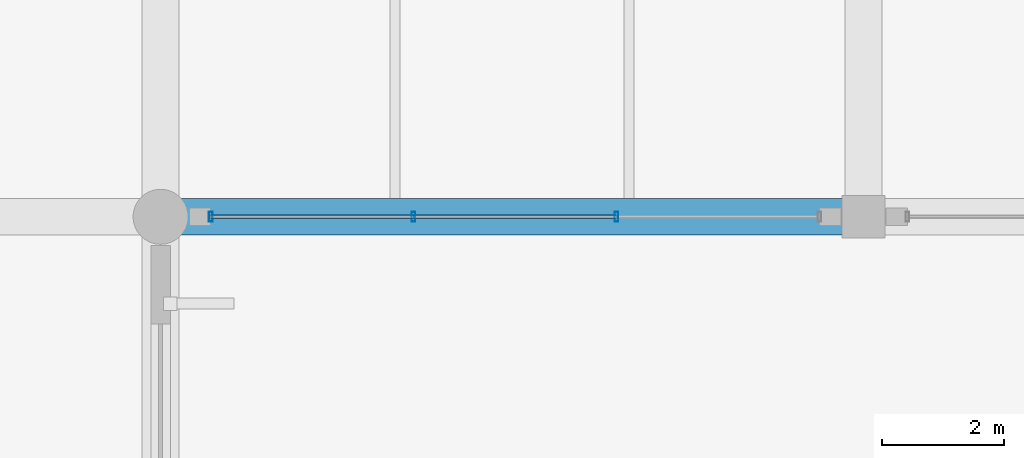
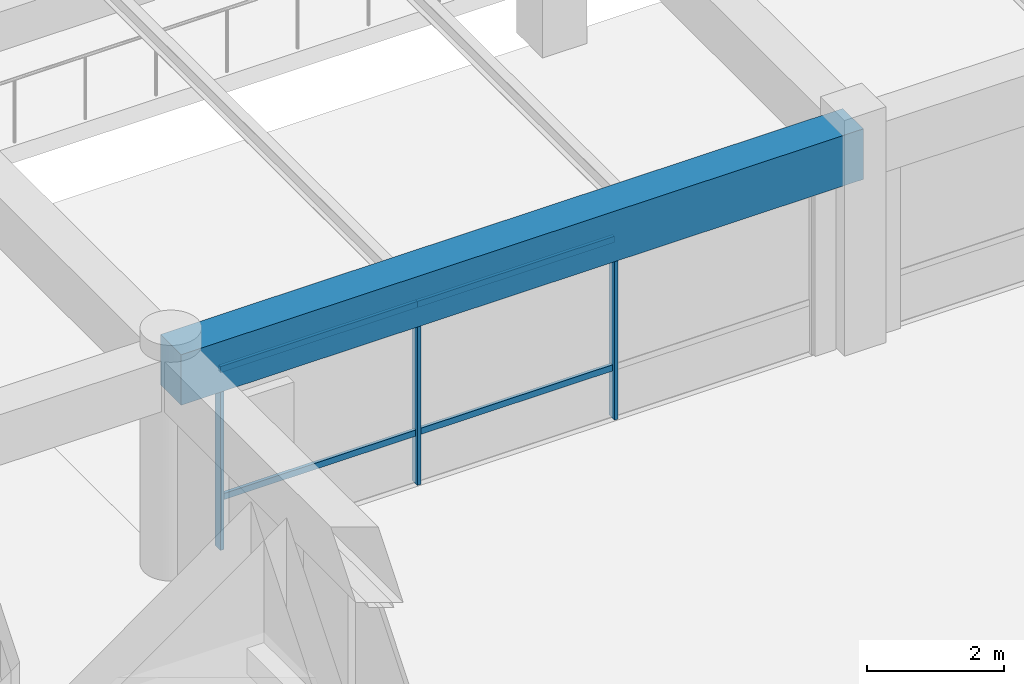
# One storey, part 54 of 109: 7 members, 1 beam, 1 element without a shape of its own.
"""IFC4 building model written with IfcOpenShell, lengths in metres."""

import ifcopenshell
import ifcopenshell.guid

model = None  # the IFC model being written
_history = None  # IfcOwnerHistory: only IFC2X3 demands one
_inside = {}  # id of a spatial element -> (the spatial element, [elements in it])
_under = {}  # id of a project, library or spatial element -> (it, [spatial elements below it])
_declared = {}  # id of a project -> (the project, [libraries it declares])
_typed = {}  # id of a type object -> (the type object, [elements of that type])
_made_of = {}  # id of a material, layer set ... -> (it, [elements and type objects made of it])


def new_model(schema):
    """Start an empty IFC model of exactly this schema.

    Asked for "IFC4X3", IfcOpenShell would pick the latest addendum, in which some entities
    have other attributes; the version numbers below select the first issue.
    IFC2X3 requires an IfcOwnerHistory on every rooted entity: one is made here for all.
    """
    global model, _history
    if schema == "IFC4X3":
        model = ifcopenshell.file(schema_version=(4, 3, 0, 0))
    else:
        model = ifcopenshell.file(schema=schema)
    _inside.clear()
    _under.clear()
    _declared.clear()
    _typed.clear()
    _made_of.clear()
    _history = None
    if model.schema == "IFC2X3":
        org = make("IfcOrganization", Name="unknown")
        user = make(
            "IfcPersonAndOrganization",
            ThePerson=make("IfcPerson", FamilyName="unknown"),
            TheOrganization=org,
        )
        app = make(
            "IfcApplication",
            ApplicationDeveloper=org,
            Version="unknown",
            ApplicationFullName="unknown",
            ApplicationIdentifier="unknown",
        )
        _history = make(
            "IfcOwnerHistory",
            OwningUser=user,
            OwningApplication=app,
            ChangeAction="ADDED",
            CreationDate=0,
        )
    return model


def make(cls, **values):
    """One entity of the class cls with the attributes given. An attribute that is None is left unset."""
    return model.create_entity(
        cls, **{name: value for name, value in values.items() if value is not None}
    )


def rooted(cls, **values):
    """An entity with a GlobalId (a new one), such as an element, a storey or a relation."""
    return make(cls, GlobalId=ifcopenshell.guid.new(), OwnerHistory=_history, **values)


def si_unit(unit_type, name, prefix=None):
    """IfcSIUnit, for example si_unit("LENGTHUNIT", "METRE", prefix="MILLI")."""
    return make("IfcSIUnit", UnitType=unit_type, Prefix=prefix, Name=name)


def assignment(units):
    """IfcUnitAssignment: the units of a project."""
    return None if units is None else make("IfcUnitAssignment", Units=units)


def point(xyz):
    """IfcCartesianPoint."""
    return None if xyz is None else make("IfcCartesianPoint", Coordinates=xyz)


def direction(xyz):
    """IfcDirection."""
    return None if xyz is None else make("IfcDirection", DirectionRatios=xyz)


def frame(location, z_axis=None, x_axis=None):
    """IfcAxis2Placement3D, a coordinate frame: its origin and axes. An axis left out is left unset."""
    return make(
        "IfcAxis2Placement3D",
        Location=point(location),
        Axis=direction(z_axis),
        RefDirection=direction(x_axis),
    )


def frame_2d(location, x_axis=None):
    """IfcAxis2Placement2D, a coordinate frame in the plane: its origin and x axis."""
    return make(
        "IfcAxis2Placement2D", Location=point(location), RefDirection=direction(x_axis)
    )


def origin():
    """The frame at (0, 0, 0) with its axes left unset."""
    return frame((0.0, 0.0, 0.0))


def origin_2d():
    """The frame at (0, 0) in the plane with its x axis left unset."""
    return frame_2d((0.0, 0.0))


def place(relative_to, where):
    """IfcLocalPlacement: puts the frame where relative to a parent placement (None: the world)."""
    return make(
        "IfcLocalPlacement", PlacementRelTo=relative_to, RelativePlacement=where
    )


def context(
    kind, dimensions, precision=None, world=None, true_north=None, identifier=None
):
    """IfcGeometricRepresentationContext, for example the 3D "Model" context."""
    return make(
        "IfcGeometricRepresentationContext",
        ContextIdentifier=identifier,
        ContextType=kind,
        CoordinateSpaceDimension=dimensions,
        Precision=precision,
        WorldCoordinateSystem=world,
        TrueNorth=true_north,
    )


def subcontext(parent, identifier, kind, view, scale=None):
    """IfcGeometricRepresentationSubContext, for example "Body" below "Model"."""
    return make(
        "IfcGeometricRepresentationSubContext",
        ContextIdentifier=identifier,
        ContextType=kind,
        ParentContext=parent,
        TargetScale=scale,
        TargetView=view,
    )


def project(units=None, contexts=None):
    """IfcProject with its units and contexts."""
    return rooted(
        "IfcProject",
        Name="project",
        RepresentationContexts=contexts,
        UnitsInContext=assignment(units),
    )


def spatial(cls, under=None, at=None, **own):
    """A site, building, storey or space (cls), placed at a placement, below another one or the project."""
    s = rooted(cls, ObjectPlacement=at, **own)
    if under is not None:
        _under.setdefault(under.id(), (under, []))[1].append(s)
    return s


def profile(cls, at=None, kind="AREA", **sizes):
    """A parametric profile (cls). Its sizes go by their IFC names, for example OverallWidth=200.0."""
    return make(cls, ProfileType=kind, Position=at, **sizes)


def rectangle(**sizes):
    """IfcRectangleProfileDef."""
    return profile("IfcRectangleProfileDef", **sizes)


def hollow_rectangle(**sizes):
    """IfcRectangleHollowProfileDef."""
    return profile("IfcRectangleHollowProfileDef", **sizes)


def extrude(swept, where, along, depth):
    """IfcExtrudedAreaSolid: the profile swept, set in the frame where, extruded along a direction by depth."""
    return make(
        "IfcExtrudedAreaSolid",
        SweptArea=swept,
        Position=where,
        ExtrudedDirection=direction(along),
        Depth=depth,
    )


def shape(context_of_items, identifier, shape_type, items):
    """IfcShapeRepresentation: the items that make up one representation, for example the "Body"."""
    return make(
        "IfcShapeRepresentation",
        ContextOfItems=context_of_items,
        RepresentationIdentifier=identifier,
        RepresentationType=shape_type,
        Items=items,
    )


def material(Name=None, Category=None):
    """IfcMaterial."""
    return make("IfcMaterial", Name=Name, Category=Category)


def material_profile(
    of_material, cross_section, Name=None, Category=None, Priority=None
):
    """IfcMaterialProfile: a cross section and its material."""
    return make(
        "IfcMaterialProfile",
        Name=Name,
        Material=of_material,
        Profile=cross_section,
        Priority=Priority,
        Category=Category,
    )


def profile_set(profiles, Name=None, composite=None):
    """IfcMaterialProfileSet."""
    return make(
        "IfcMaterialProfileSet",
        Name=Name,
        MaterialProfiles=profiles,
        CompositeProfile=composite,
    )


def made_of(thing, what):
    """Note that an element or type object is made of a material, layer set ...; save() writes the relation."""
    if what is not None:
        _made_of.setdefault(what.id(), (what, []))[1].append(thing)
    return thing


def type_object(cls, material=None, **own):
    """A type object (cls), such as IfcWallType, which elements share."""
    return made_of(rooted(cls, **own), material)


def element(
    cls,
    number,
    at=None,
    inside=None,
    cuts=None,
    type_object=None,
    material=None,
    context=None,
    identifier="Body",
    shape_type=None,
    held_by="IfcProductDefinitionShape",
    body=None,
    shapes=None,
    **own,
):
    """One element of the class cls, such as IfcWall. Its Tag is "e" and its number.

    at: its placement. inside: the storey or other place that contains it. cuts: it is an
    opening in that element (IfcRelVoidsElement). A single representation is given by context,
    identifier, shape_type and body (its items); several are given by shapes. held_by: the class
    of the entity that holds the representations. save() writes the other relations.
    """
    e = rooted(cls, Tag="e%d" % number, ObjectPlacement=at, **own)
    if body is not None:
        shapes = [shape(context, identifier, shape_type, body)]
    if shapes is not None:
        e.Representation = make(held_by, Representations=shapes)
    if inside is not None:
        _inside.setdefault(inside.id(), (inside, []))[1].append(e)
    if cuts is not None:
        rooted(
            "IfcRelVoidsElement", RelatingBuildingElement=cuts, RelatedOpeningElement=e
        )
    if type_object is not None:
        _typed.setdefault(type_object.id(), (type_object, []))[1].append(e)
    return made_of(e, material)


def aggregate(whole, parts):
    """IfcRelAggregates: a whole, such as a stair, and the parts it consists of."""
    return rooted("IfcRelAggregates", RelatingObject=whole, RelatedObjects=parts)


def save(model, path):
    """Write the relations noted so far, then the file.

    IfcRelAggregates (storeys below a building ...), IfcRelContainedInSpatialStructure (elements
    in a storey), IfcRelDefinesByType, IfcRelAssociatesMaterial and IfcRelDeclares: one each for
    every whole, place, type object, material and project.
    """
    for whole, parts in _under.values():
        aggregate(whole, parts)
    for where, things in _inside.values():
        rooted(
            "IfcRelContainedInSpatialStructure",
            RelatedElements=things,
            RelatingStructure=where,
        )
    for kind, things in _typed.values():
        rooted("IfcRelDefinesByType", RelatedObjects=things, RelatingType=kind)
    for what, things in _made_of.values():
        rooted("IfcRelAssociatesMaterial", RelatedObjects=things, RelatingMaterial=what)
    for by, libraries in _declared.values():
        rooted("IfcRelDeclares", RelatingContext=by, RelatedDefinitions=libraries)
    model.write(path)


model = new_model("IFC4")

# Units and contexts
model_context = context("Model", 3, precision=1e-05, world=origin(), true_north=direction((0.0, 1.0)))
body_context = subcontext(model_context, "Body", "Model", "MODEL_VIEW")
ifc_project = project(units=[si_unit("LENGTHUNIT", "METRE"), si_unit("AREAUNIT", "SQUARE_METRE"), si_unit("VOLUMEUNIT", "CUBIC_METRE"), si_unit("PLANEANGLEUNIT", "RADIAN"), si_unit("MASSUNIT", "GRAM", prefix="KILO")], contexts=[model_context])

# Site, building, storey
site_placement = place(None, origin())
site = spatial("IfcSite", under=ifc_project, at=site_placement, CompositionType="ELEMENT")
building_placement = place(site_placement, origin())
building = spatial("IfcBuilding", under=site, at=building_placement, Name="Ologun Quay Terminus", CompositionType="ELEMENT")
storey_placement = place(building_placement, origin())
storey = spatial("IfcBuildingStorey", under=building, at=storey_placement, Name="L00", CompositionType="ELEMENT", Elevation=0.0)

# Curtain wall, members
ifc_material_1 = material(Name="Aluminium 6063-T6", Category="aluminium")
curtain_wall_type = type_object("IfcCurtainWallType", Name="Forecourt Arcade Curtain Wall 10700x3750", PredefinedType="USERDEFINED", material=ifc_material_1)
curtain_wall_placement = place(storey_placement, origin())
curtain_wall = element("IfcCurtainWall", 1, at=curtain_wall_placement, inside=storey, type_object=curtain_wall_type, Name="CW-03 Curtain Wall CW-L00-007", ObjectType="UNITISED CURTAIN WALL", PredefinedType="USERDEFINED")
ifc_material_2 = material(Name="Aluminium 6063-T6", Category="aluminium")
ifc_material_profile_1 = material_profile(ifc_material_2, hollow_rectangle(XDim=0.06005859375, YDim=0.159912109375, WallThickness=0.00390625, at=origin_2d()), Name="ALU 160x60x4")
ifc_profile_set_1 = profile_set([ifc_material_profile_1], Name="Aluminium 6063-T6")
member_type_1 = type_object("IfcMemberType", Name="Curtain Wall Standard Mullion 160x65", PredefinedType="MULLION", material=ifc_profile_set_1)
member_1_placement = place(storey_placement, frame((127.320068359375, 27.199951171875, 0.0), z_axis=(0.0, 0.0, 1.0), x_axis=(1.0, 0.0, 0.0)))
member_1 = element("IfcMember", 2, at=member_1_placement, type_object=member_type_1, Name="CW-L00-007 Mullion 1", PredefinedType="MULLION", context=body_context, shape_type="SweptSolid", body=[
    extrude(hollow_rectangle(XDim=0.06005859375, YDim=0.159912109375, WallThickness=0.00390625, at=origin_2d()), origin(), (0.0, 0.0, 1.0), 3.8798828125),
])
member_2_placement = place(storey_placement, frame((130.639892578125, 27.199951171875, 0.0), z_axis=(0.0, 0.0, 1.0), x_axis=(1.0, 0.0, 0.0)))
member_2 = element("IfcMember", 3, at=member_2_placement, type_object=member_type_1, Name="CW-L00-007 Mullion 2", PredefinedType="MULLION", context=body_context, shape_type="SweptSolid", body=[
    extrude(hollow_rectangle(XDim=0.06005859375, YDim=0.159912109375, WallThickness=0.00390625, at=origin_2d()), origin(), (0.0, 0.0, 1.0), 3.8798828125),
])
member_3_placement = place(storey_placement, frame((133.9599609375, 27.199951171875, 0.0), z_axis=(0.0, 0.0, 1.0), x_axis=(1.0, 0.0, 0.0)))
member_3 = element("IfcMember", 4, at=member_3_placement, type_object=member_type_1, Name="CW-L00-007 Mullion 3", PredefinedType="MULLION", context=body_context, shape_type="SweptSolid", body=[
    extrude(hollow_rectangle(XDim=0.06005859375, YDim=0.159912109375, WallThickness=0.00390625, at=origin_2d()), origin(), (0.0, 0.0, 1.0), 3.8798828125),
])
ifc_material_3 = material(Name="Aluminium 6063-T6", Category="aluminium")
ifc_material_profile_2 = material_profile(ifc_material_3, hollow_rectangle(XDim=0.054931640625, YDim=0.110107421875, WallThickness=0.00390625, at=origin_2d()), Name="ALU 110x55x4")
ifc_profile_set_2 = profile_set([ifc_material_profile_2], Name="Aluminium 6063-T6")
member_type_2 = type_object("IfcMemberType", Name="Curtain Wall Standard Transom 110x55", PredefinedType="USERDEFINED", material=ifc_profile_set_2)
member_4_placement = place(storey_placement, frame((127.320068359375, 27.199951171875, 0.89990234375), z_axis=(1.0, 0.0, 0.0), x_axis=(0.0, 1.0, 0.0)))
member_4 = element("IfcMember", 5, at=member_4_placement, type_object=member_type_2, Name="CW-L00-007 Transom B1-1", ObjectType="TRANSOM", PredefinedType="USERDEFINED", context=body_context, shape_type="SweptSolid", body=[
    extrude(hollow_rectangle(XDim=0.054931640625, YDim=0.110107421875, WallThickness=0.00390625, at=origin_2d()), origin(), (0.0, 0.0, 1.0), 3.31982421875),
])
member_5_placement = place(storey_placement, frame((127.320068359375, 27.199951171875, 3.179931640625), z_axis=(1.0, 0.0, 0.0), x_axis=(0.0, 1.0, 0.0)))
member_5 = element("IfcMember", 6, at=member_5_placement, type_object=member_type_2, Name="CW-L00-007 Transom B1-2", ObjectType="TRANSOM", PredefinedType="USERDEFINED", context=body_context, shape_type="SweptSolid", body=[
    extrude(hollow_rectangle(XDim=0.054931640625, YDim=0.110107421875, WallThickness=0.00390625, at=origin_2d()), origin(), (0.0, 0.0, 1.0), 3.31982421875),
])
member_6_placement = place(storey_placement, frame((130.639892578125, 27.199951171875, 0.89990234375), z_axis=(1.0, 0.0, 0.0), x_axis=(0.0, 1.0, 0.0)))
member_6 = element("IfcMember", 7, at=member_6_placement, type_object=member_type_2, Name="CW-L00-007 Transom B2-1", ObjectType="TRANSOM", PredefinedType="USERDEFINED", context=body_context, shape_type="SweptSolid", body=[
    extrude(hollow_rectangle(XDim=0.054931640625, YDim=0.110107421875, WallThickness=0.00390625, at=origin_2d()), origin(), (0.0, 0.0, 1.0), 3.320068359375),
])
member_7_placement = place(storey_placement, frame((130.639892578125, 27.199951171875, 3.179931640625), z_axis=(1.0, 0.0, 0.0), x_axis=(0.0, 1.0, 0.0)))
member_7 = element("IfcMember", 8, at=member_7_placement, type_object=member_type_2, Name="CW-L00-007 Transom B2-2", ObjectType="TRANSOM", PredefinedType="USERDEFINED", context=body_context, shape_type="SweptSolid", body=[
    extrude(hollow_rectangle(XDim=0.054931640625, YDim=0.110107421875, WallThickness=0.00390625, at=origin_2d()), origin(), (0.0, 0.0, 1.0), 3.320068359375),
])
aggregate(curtain_wall, [member_1, member_2, member_3, member_4, member_5, member_6, member_7])

# Beam
ifc_material_4 = material(Name="Concrete C40/50", Category="concrete")
ifc_material_profile_3 = material_profile(ifc_material_4, rectangle(XDim=0.60009765625, YDim=0.89990234375, at=origin_2d()), Name="RC 600x900")
ifc_profile_set_3 = profile_set([ifc_material_profile_3], Name="Concrete C40/50")
beam_type = type_object("IfcBeamType", Name="Station Frame Girder 600x900", PredefinedType="BEAM", material=ifc_profile_set_3)
beam_placement = place(storey_placement, frame((126.5, 27.199951171875, 3.449951171875), z_axis=(1.0, 0.0, 0.0), x_axis=(0.0, 1.0, 0.0)))
element("IfcBeam", 9, at=beam_placement, inside=storey, type_object=beam_type, Name="B3 Beam 12/D L00", PredefinedType="BEAM", context=body_context, shape_type="SweptSolid", body=[
    extrude(rectangle(XDim=0.60009765625, YDim=0.89990234375, at=origin_2d()), origin(), (0.0, 0.0, 1.0), 11.5),
])

save(model, "model.ifc")
